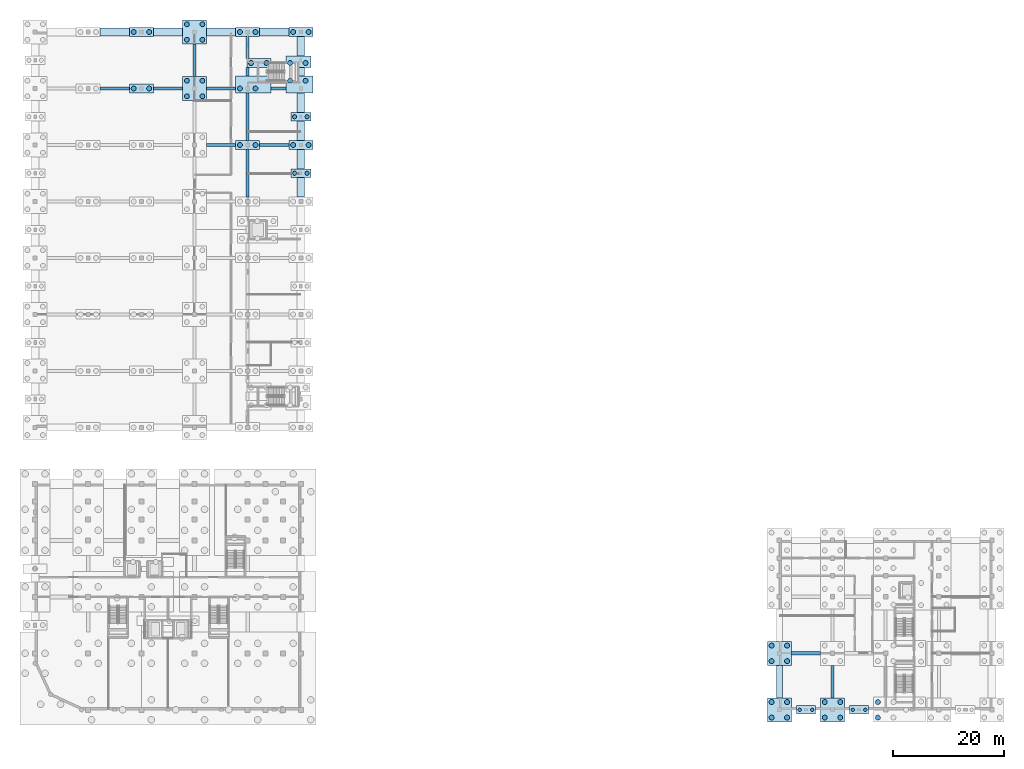
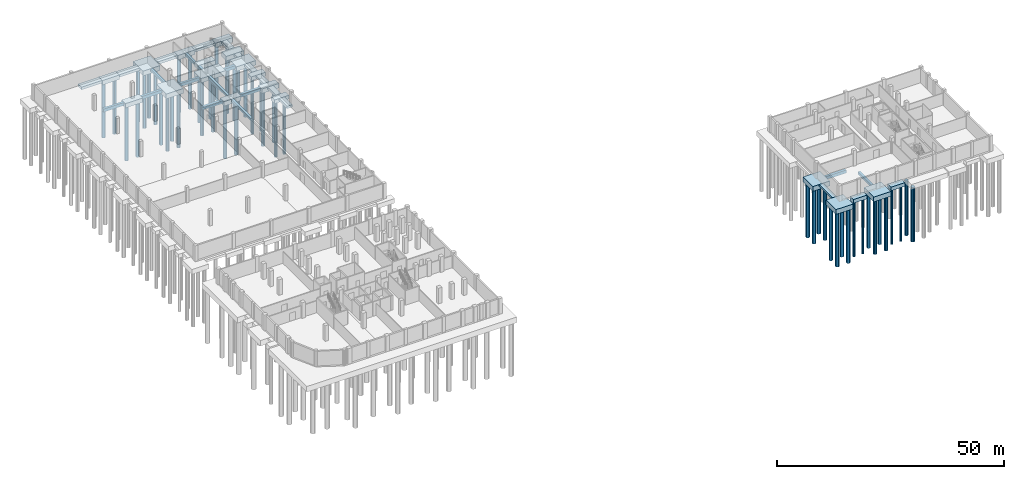
# One storey, part 4 of 18: 50 piles, 43 footings.
"""IFC4 building model written with IfcOpenShell, lengths in metres."""

import ifcopenshell
import ifcopenshell.guid

model = None  # the IFC model being written
_history = None  # IfcOwnerHistory: only IFC2X3 demands one
_inside = {}  # id of a spatial element -> (the spatial element, [elements in it])
_under = {}  # id of a project, library or spatial element -> (it, [spatial elements below it])
_declared = {}  # id of a project -> (the project, [libraries it declares])
_typed = {}  # id of a type object -> (the type object, [elements of that type])
_made_of = {}  # id of a material, layer set ... -> (it, [elements and type objects made of it])


def new_model(schema):
    """Start an empty IFC model of exactly this schema.

    Asked for "IFC4X3", IfcOpenShell would pick the latest addendum, in which some entities
    have other attributes; the version numbers below select the first issue.
    IFC2X3 requires an IfcOwnerHistory on every rooted entity: one is made here for all.
    """
    global model, _history
    if schema == "IFC4X3":
        model = ifcopenshell.file(schema_version=(4, 3, 0, 0))
    else:
        model = ifcopenshell.file(schema=schema)
    _inside.clear()
    _under.clear()
    _declared.clear()
    _typed.clear()
    _made_of.clear()
    _history = None
    if model.schema == "IFC2X3":
        org = make("IfcOrganization", Name="unknown")
        user = make(
            "IfcPersonAndOrganization",
            ThePerson=make("IfcPerson", FamilyName="unknown"),
            TheOrganization=org,
        )
        app = make(
            "IfcApplication",
            ApplicationDeveloper=org,
            Version="unknown",
            ApplicationFullName="unknown",
            ApplicationIdentifier="unknown",
        )
        _history = make(
            "IfcOwnerHistory",
            OwningUser=user,
            OwningApplication=app,
            ChangeAction="ADDED",
            CreationDate=0,
        )
    return model


def make(cls, **values):
    """One entity of the class cls with the attributes given. An attribute that is None is left unset."""
    return model.create_entity(
        cls, **{name: value for name, value in values.items() if value is not None}
    )


def rooted(cls, **values):
    """An entity with a GlobalId (a new one), such as an element, a storey or a relation."""
    return make(cls, GlobalId=ifcopenshell.guid.new(), OwnerHistory=_history, **values)


def si_unit(unit_type, name, prefix=None):
    """IfcSIUnit, for example si_unit("LENGTHUNIT", "METRE", prefix="MILLI")."""
    return make("IfcSIUnit", UnitType=unit_type, Prefix=prefix, Name=name)


def assignment(units):
    """IfcUnitAssignment: the units of a project."""
    return None if units is None else make("IfcUnitAssignment", Units=units)


def point(xyz):
    """IfcCartesianPoint."""
    return None if xyz is None else make("IfcCartesianPoint", Coordinates=xyz)


def direction(xyz):
    """IfcDirection."""
    return None if xyz is None else make("IfcDirection", DirectionRatios=xyz)


def frame(location, z_axis=None, x_axis=None):
    """IfcAxis2Placement3D, a coordinate frame: its origin and axes. An axis left out is left unset."""
    return make(
        "IfcAxis2Placement3D",
        Location=point(location),
        Axis=direction(z_axis),
        RefDirection=direction(x_axis),
    )


def frame_2d(location, x_axis=None):
    """IfcAxis2Placement2D, a coordinate frame in the plane: its origin and x axis."""
    return make(
        "IfcAxis2Placement2D", Location=point(location), RefDirection=direction(x_axis)
    )


def origin():
    """The frame at (0, 0, 0) with its axes left unset."""
    return frame((0.0, 0.0, 0.0))


def origin_2d():
    """The frame at (0, 0) in the plane with its x axis left unset."""
    return frame_2d((0.0, 0.0))


def place(relative_to, where):
    """IfcLocalPlacement: puts the frame where relative to a parent placement (None: the world)."""
    return make(
        "IfcLocalPlacement", PlacementRelTo=relative_to, RelativePlacement=where
    )


def context(
    kind, dimensions, precision=None, world=None, true_north=None, identifier=None
):
    """IfcGeometricRepresentationContext, for example the 3D "Model" context."""
    return make(
        "IfcGeometricRepresentationContext",
        ContextIdentifier=identifier,
        ContextType=kind,
        CoordinateSpaceDimension=dimensions,
        Precision=precision,
        WorldCoordinateSystem=world,
        TrueNorth=true_north,
    )


def subcontext(parent, identifier, kind, view, scale=None):
    """IfcGeometricRepresentationSubContext, for example "Body" below "Model"."""
    return make(
        "IfcGeometricRepresentationSubContext",
        ContextIdentifier=identifier,
        ContextType=kind,
        ParentContext=parent,
        TargetScale=scale,
        TargetView=view,
    )


def project(units=None, contexts=None):
    """IfcProject with its units and contexts."""
    return rooted(
        "IfcProject",
        Name="project",
        RepresentationContexts=contexts,
        UnitsInContext=assignment(units),
    )


def spatial(cls, under=None, at=None, **own):
    """A site, building, storey or space (cls), placed at a placement, below another one or the project."""
    s = rooted(cls, ObjectPlacement=at, **own)
    if under is not None:
        _under.setdefault(under.id(), (under, []))[1].append(s)
    return s


def polyline(points):
    """IfcPolyline through the points."""
    return make("IfcPolyline", Points=[point(p) for p in points])


def profile(cls, at=None, kind="AREA", **sizes):
    """A parametric profile (cls). Its sizes go by their IFC names, for example OverallWidth=200.0."""
    return make(cls, ProfileType=kind, Position=at, **sizes)


def rectangle(**sizes):
    """IfcRectangleProfileDef."""
    return profile("IfcRectangleProfileDef", **sizes)


def circle(**sizes):
    """IfcCircleProfileDef."""
    return profile("IfcCircleProfileDef", **sizes)


def outline(outer, holes=None, kind="AREA"):
    """IfcArbitraryClosedProfileDef: a profile drawn as a closed curve; with holes, ...WithVoids."""
    if holes is None:
        return make("IfcArbitraryClosedProfileDef", ProfileType=kind, OuterCurve=outer)
    return make(
        "IfcArbitraryProfileDefWithVoids",
        ProfileType=kind,
        OuterCurve=outer,
        InnerCurves=holes,
    )


def extrude(swept, where, along, depth):
    """IfcExtrudedAreaSolid: the profile swept, set in the frame where, extruded along a direction by depth."""
    return make(
        "IfcExtrudedAreaSolid",
        SweptArea=swept,
        Position=where,
        ExtrudedDirection=direction(along),
        Depth=depth,
    )


def shape(context_of_items, identifier, shape_type, items):
    """IfcShapeRepresentation: the items that make up one representation, for example the "Body"."""
    return make(
        "IfcShapeRepresentation",
        ContextOfItems=context_of_items,
        RepresentationIdentifier=identifier,
        RepresentationType=shape_type,
        Items=items,
    )


def material(Name=None, Category=None):
    """IfcMaterial."""
    return make("IfcMaterial", Name=Name, Category=Category)


def material_profile(
    of_material, cross_section, Name=None, Category=None, Priority=None
):
    """IfcMaterialProfile: a cross section and its material."""
    return make(
        "IfcMaterialProfile",
        Name=Name,
        Material=of_material,
        Profile=cross_section,
        Priority=Priority,
        Category=Category,
    )


def profile_set(profiles, Name=None, composite=None):
    """IfcMaterialProfileSet."""
    return make(
        "IfcMaterialProfileSet",
        Name=Name,
        MaterialProfiles=profiles,
        CompositeProfile=composite,
    )


def made_of(thing, what):
    """Note that an element or type object is made of a material, layer set ...; save() writes the relation."""
    if what is not None:
        _made_of.setdefault(what.id(), (what, []))[1].append(thing)
    return thing


def type_object(cls, material=None, **own):
    """A type object (cls), such as IfcWallType, which elements share."""
    return made_of(rooted(cls, **own), material)


def element(
    cls,
    number,
    at=None,
    inside=None,
    cuts=None,
    type_object=None,
    material=None,
    context=None,
    identifier="Body",
    shape_type=None,
    held_by="IfcProductDefinitionShape",
    body=None,
    shapes=None,
    **own,
):
    """One element of the class cls, such as IfcWall. Its Tag is "e" and its number.

    at: its placement. inside: the storey or other place that contains it. cuts: it is an
    opening in that element (IfcRelVoidsElement). A single representation is given by context,
    identifier, shape_type and body (its items); several are given by shapes. held_by: the class
    of the entity that holds the representations. save() writes the other relations.
    """
    e = rooted(cls, Tag="e%d" % number, ObjectPlacement=at, **own)
    if body is not None:
        shapes = [shape(context, identifier, shape_type, body)]
    if shapes is not None:
        e.Representation = make(held_by, Representations=shapes)
    if inside is not None:
        _inside.setdefault(inside.id(), (inside, []))[1].append(e)
    if cuts is not None:
        rooted(
            "IfcRelVoidsElement", RelatingBuildingElement=cuts, RelatedOpeningElement=e
        )
    if type_object is not None:
        _typed.setdefault(type_object.id(), (type_object, []))[1].append(e)
    return made_of(e, material)


def aggregate(whole, parts):
    """IfcRelAggregates: a whole, such as a stair, and the parts it consists of."""
    return rooted("IfcRelAggregates", RelatingObject=whole, RelatedObjects=parts)


def save(model, path):
    """Write the relations noted so far, then the file.

    IfcRelAggregates (storeys below a building ...), IfcRelContainedInSpatialStructure (elements
    in a storey), IfcRelDefinesByType, IfcRelAssociatesMaterial and IfcRelDeclares: one each for
    every whole, place, type object, material and project.
    """
    for whole, parts in _under.values():
        aggregate(whole, parts)
    for where, things in _inside.values():
        rooted(
            "IfcRelContainedInSpatialStructure",
            RelatedElements=things,
            RelatingStructure=where,
        )
    for kind, things in _typed.values():
        rooted("IfcRelDefinesByType", RelatedObjects=things, RelatingType=kind)
    for what, things in _made_of.values():
        rooted("IfcRelAssociatesMaterial", RelatedObjects=things, RelatingMaterial=what)
    for by, libraries in _declared.values():
        rooted("IfcRelDeclares", RelatingContext=by, RelatedDefinitions=libraries)
    model.write(path)


model = new_model("IFC4")

# Units and contexts
model_context = context("Model", 3, precision=1e-05, world=origin(), true_north=direction((0.0, 1.0)))
body_context = subcontext(model_context, "Body", "Model", "MODEL_VIEW")
ifc_project = project(units=[si_unit("LENGTHUNIT", "METRE"), si_unit("AREAUNIT", "SQUARE_METRE"), si_unit("VOLUMEUNIT", "CUBIC_METRE"), si_unit("PLANEANGLEUNIT", "RADIAN"), si_unit("MASSUNIT", "GRAM", prefix="KILO")], contexts=[model_context])

# Site, building, storey
site_placement = place(None, origin())
site = spatial("IfcSite", under=ifc_project, at=site_placement, CompositionType="ELEMENT")
building_placement = place(site_placement, origin())
building = spatial("IfcBuilding", under=site, at=building_placement, Name="Vondelvale Polytechnic", CompositionType="ELEMENT")
storey_placement = place(building_placement, frame((0.0, 0.0, -4.199951171875)))
storey = spatial("IfcBuildingStorey", under=building, at=storey_placement, Name="B1", CompositionType="ELEMENT", Elevation=-4.199951171875)

# Footings
ifc_material = material(Name="Concrete N40 (f'c = 40 MPa)", Category="concrete")
footing_type_1 = type_object("IfcFootingType", Name="GB-550x750", PredefinedType="FOOTING_BEAM", material=ifc_material)
footing_1_placement = place(storey_placement, frame((0.0, 0.0, -1.150146484375)))
element("IfcFooting", 1, at=footing_1_placement, inside=storey, type_object=footing_type_1, Name="Ground tie beam GB-037", PredefinedType="FOOTING_BEAM", context=body_context, shape_type="SweptSolid", body=[
    extrude(outline(polyline([(29.074951171875, 114.3701171875), (28.52490234375, 114.3701171875), (28.52490234375, 120.22998046875), (29.074951171875, 120.22998046875), (29.074951171875, 114.3701171875)])), origin(), (0.0, 0.0, 1.0), 0.75),
])
footing_2_placement = place(storey_placement, frame((0.0, 0.0, -1.150146484375)))
element("IfcFooting", 2, at=footing_2_placement, inside=storey, type_object=footing_type_1, Name="Ground tie beam GB-046", PredefinedType="FOOTING_BEAM", context=body_context, shape_type="SweptSolid", body=[
    extrude(outline(polyline([(38.675048828125, 92.64990234375), (38.125, 92.64990234375), (38.125, 101.14990234375), (38.675048828125, 101.14990234375), (38.675048828125, 92.64990234375)])), origin(), (0.0, 0.0, 1.0), 0.75),
])
footing_3_placement = place(storey_placement, frame((0.0, 0.0, -1.150146484375)))
element("IfcFooting", 3, at=footing_3_placement, inside=storey, type_object=footing_type_1, Name="Ground tie beam GB-047", PredefinedType="FOOTING_BEAM", context=body_context, shape_type="SweptSolid", body=[
    extrude(outline(polyline([(38.675048828125, 102.85009765625), (38.125, 102.85009765625), (38.125, 111.35009765625), (38.675048828125, 111.35009765625), (38.675048828125, 102.85009765625)])), origin(), (0.0, 0.0, 1.0), 0.75),
])
footing_4_placement = place(storey_placement, frame((0.0, 0.0, -1.150146484375)))
element("IfcFooting", 4, at=footing_4_placement, inside=storey, type_object=footing_type_1, Name="Ground tie beam GB-048", PredefinedType="FOOTING_BEAM", context=body_context, shape_type="SweptSolid", body=[
    extrude(outline(polyline([(38.675048828125, 114.449951171875), (38.125, 114.449951171875), (38.125, 115.949951171875), (38.22998046875, 115.949951171875), (38.675048828125, 115.949951171875), (38.675048828125, 114.449951171875)])), origin(), (0.0, 0.0, 1.0), 0.75),
])
footing_5_placement = place(storey_placement, frame((0.0, 0.0, -1.150146484375)))
element("IfcFooting", 5, at=footing_5_placement, inside=storey, type_object=footing_type_1, Name="Ground tie beam GB-049", PredefinedType="FOOTING_BEAM", context=body_context, shape_type="SweptSolid", body=[
    extrude(outline(polyline([(38.675048828125, 117.64990234375), (38.22998046875, 117.64990234375), (38.125, 117.64990234375), (38.125, 121.550048828125), (38.675048828125, 121.550048828125), (38.675048828125, 117.64990234375)])), origin(), (0.0, 0.0, 1.0), 0.75),
])
footing_6_placement = place(storey_placement, frame((0.0, 0.0, -1.150146484375)))
element("IfcFooting", 6, at=footing_6_placement, inside=storey, type_object=footing_type_1, Name="Ground tie beam GB-065", PredefinedType="FOOTING_BEAM", context=body_context, shape_type="SweptSolid", body=[
    extrude(outline(polyline([(144.27490234375, 2.169921875), (143.72509765625, 2.169921875), (143.72509765625, 8.030029296875), (144.27490234375, 8.030029296875), (144.27490234375, 2.169921875)])), origin(), (0.0, 0.0, 1.0), 0.75),
])
footing_type_2 = type_object("IfcFootingType", Name="GB-600x800", PredefinedType="FOOTING_BEAM", material=ifc_material)
footing_7_placement = place(storey_placement, frame((0.0, 0.0, -1.199951171875)))
element("IfcFooting", 7, at=footing_7_placement, inside=storey, type_object=footing_type_2, Name="Ground tie beam GB-024", PredefinedType="FOOTING_BEAM", context=body_context, shape_type="SweptSolid", body=[
    extrude(outline(polyline([(30.969970703125, 101.699951171875), (30.969970703125, 102.300048828125), (36.22998046875, 102.300048828125), (36.22998046875, 101.699951171875), (30.969970703125, 101.699951171875)])), origin(), (0.0, 0.0, 1.0), 0.7998046875),
])
footing_8_placement = place(storey_placement, frame((0.0, 0.0, -1.199951171875)))
element("IfcFooting", 8, at=footing_8_placement, inside=storey, type_object=footing_type_2, Name="Ground tie beam GB-025", PredefinedType="FOOTING_BEAM", context=body_context, shape_type="SweptSolid", body=[
    extrude(outline(polyline([(40.570068359375, 101.699951171875), (40.570068359375, 102.300048828125), (45.830078125, 102.300048828125), (45.830078125, 101.699951171875), (40.570068359375, 101.699951171875)])), origin(), (0.0, 0.0, 1.0), 0.7998046875),
])
footing_9_placement = place(storey_placement, frame((0.0, 0.0, -1.199951171875)))
element("IfcFooting", 9, at=footing_9_placement, inside=storey, type_object=footing_type_2, Name="Ground tie beam GB-027", PredefinedType="FOOTING_BEAM", context=body_context, shape_type="SweptSolid", body=[
    extrude(outline(polyline([(11.77001953125, 111.89990234375), (11.77001953125, 112.5), (17.030029296875, 112.5), (17.030029296875, 111.89990234375), (11.77001953125, 111.89990234375)])), origin(), (0.0, 0.0, 1.0), 0.7998046875),
])
footing_10_placement = place(storey_placement, frame((0.0, 0.0, -1.199951171875)))
element("IfcFooting", 10, at=footing_10_placement, inside=storey, type_object=footing_type_2, Name="Ground tie beam GB-028", PredefinedType="FOOTING_BEAM", context=body_context, shape_type="SweptSolid", body=[
    extrude(outline(polyline([(21.3701171875, 111.89990234375), (21.3701171875, 112.5), (26.6298828125, 112.5), (26.6298828125, 111.89990234375), (21.3701171875, 111.89990234375)])), origin(), (0.0, 0.0, 1.0), 0.7998046875),
])
footing_11_placement = place(storey_placement, frame((0.0, 0.0, -1.199951171875)))
element("IfcFooting", 11, at=footing_11_placement, inside=storey, type_object=footing_type_2, Name="Ground tie beam GB-029", PredefinedType="FOOTING_BEAM", context=body_context, shape_type="SweptSolid", body=[
    extrude(outline(polyline([(30.969970703125, 111.89990234375), (30.969970703125, 112.5), (36.22998046875, 112.5), (36.22998046875, 111.89990234375), (30.969970703125, 111.89990234375)])), origin(), (0.0, 0.0, 1.0), 0.7998046875),
])
footing_12_placement = place(storey_placement, frame((0.0, 0.0, -1.199951171875)))
element("IfcFooting", 12, at=footing_12_placement, inside=storey, type_object=footing_type_2, Name="Ground tie beam GB-030", PredefinedType="FOOTING_BEAM", context=body_context, shape_type="SweptSolid", body=[
    extrude(outline(polyline([(42.570068359375, 111.89990234375), (42.570068359375, 112.5), (45.280029296875, 112.5), (45.280029296875, 111.89990234375), (42.570068359375, 111.89990234375)])), origin(), (0.0, 0.0, 1.0), 0.7998046875),
])
footing_13_placement = place(storey_placement, frame((0.0, 0.0, -1.199951171875)))
element("IfcFooting", 13, at=footing_13_placement, inside=storey, type_object=footing_type_2, Name="Ground tie beam GB-059", PredefinedType="FOOTING_BEAM", context=body_context, shape_type="SweptSolid", body=[
    extrude(outline(polyline([(136.570068359375, 9.89990234375), (136.570068359375, 10.5), (141.830078125, 10.5), (141.830078125, 9.89990234375), (136.570068359375, 9.89990234375)])), origin(), (0.0, 0.0, 1.0), 0.7998046875),
])
footing_type_3 = type_object("IfcFootingType", Name="PC-3490x1500x1000", PredefinedType="PILE_CAP", material=ifc_material)
for number, where, z_axis, x_axis, name in (
    (14, (139.199951171875, 0.0, -1.400146484375), (0.0, 0.0, 1.0), (1.0, 0.0, 0.0), "Pile cap PC-207"),
    (15, (148.800048828125, 0.0, -1.400146484375), (0.0, 0.0, 1.0), (1.0, 0.0, 0.0), "Pile cap PC-228"),
):
    element("IfcFooting", number, at=place(storey_placement, frame(where, z_axis=z_axis, x_axis=x_axis)), inside=storey, type_object=footing_type_3, Name=name, PredefinedType="PILE_CAP", context=body_context, shape_type="SweptSolid", body=[
        extrude(rectangle(XDim=3.489990234375, YDim=1.5, at=origin_2d()), origin(), (0.0, 0.0, 1.0), 1.0),
    ])
footing_type_4 = type_object("IfcFootingType", Name="PC-3640x1500x1000", PredefinedType="PILE_CAP", material=ifc_material)
for number, where, z_axis, x_axis, name in (
    (16, (48.0, 96.89990234375, -1.400146484375), (0.0, 0.0, 1.0), (1.0, 0.0, 0.0), "Pile cap PC-078"),
    (17, (48.0, 107.10009765625, -1.400146484375), (0.0, 0.0, 1.0), (1.0, 0.0, 0.0), "Pile cap PC-080"),
):
    element("IfcFooting", number, at=place(storey_placement, frame(where, z_axis=z_axis, x_axis=x_axis)), inside=storey, type_object=footing_type_4, Name=name, PredefinedType="PILE_CAP", context=body_context, shape_type="SweptSolid", body=[
        extrude(rectangle(XDim=3.639892578125, YDim=1.5, at=origin_2d()), origin(), (0.0, 0.0, 1.0), 1.0),
    ])
footing_type_5 = type_object("IfcFootingType", Name="PC-4340x1700x1200", PredefinedType="PILE_CAP", material=ifc_material)
for number, where, z_axis, x_axis, name in (
    (18, (19.199951171875, 112.199951171875, -1.60009765625), (0.0, 0.0, 1.0), (1.0, 0.0, 0.0), "Pile cap PC-039"),
    (19, (19.199951171875, 122.39990234375, -1.60009765625), (0.0, 0.0, 1.0), (1.0, 0.0, 0.0), "Pile cap PC-040"),
    (20, (38.39990234375, 102.0, -1.60009765625), (0.0, 0.0, 1.0), (1.0, 0.0, 0.0), "Pile cap PC-058"),
    (21, (38.39990234375, 122.39990234375, -1.60009765625), (0.0, 0.0, 1.0), (1.0, 0.0, 0.0), "Pile cap PC-060"),
    (22, (40.39990234375, 116.800048828125, -1.60009765625), (0.0, 0.0, 1.0), (1.0, 0.0, 0.0), "Pile cap PC-065"),
    (23, (48.0, 102.0, -1.60009765625), (0.0, 0.0, 1.0), (1.0, 0.0, 0.0), "Pile cap PC-079"),
    (24, (48.0, 122.39990234375, -1.60009765625), (0.0, 0.0, 1.0), (1.0, 0.0, 0.0), "Pile cap PC-081"),
):
    element("IfcFooting", number, at=place(storey_placement, frame(where, z_axis=z_axis, x_axis=x_axis)), inside=storey, type_object=footing_type_5, Name=name, PredefinedType="PILE_CAP", context=body_context, shape_type="SweptSolid", body=[
        extrude(rectangle(XDim=4.340087890625, YDim=1.699951171875, at=origin_2d()), origin(), (0.0, 0.0, 1.0), 1.199951171875),
    ])
footing_type_6 = type_object("IfcFootingType", Name="PC-4340x4340x1300", PredefinedType="PILE_CAP", material=ifc_material)
for number, where, z_axis, x_axis, name in (
    (25, (28.800048828125, 112.199951171875, -1.7001953125), (0.0, 0.0, 1.0), (1.0, 0.0, 0.0), "Pile cap PC-050"),
    (26, (28.800048828125, 122.39990234375, -1.7001953125), (0.0, 0.0, 1.0), (1.0, 0.0, 0.0), "Pile cap PC-051"),
    (27, (134.39990234375, 0.0, -1.7001953125), (0.0, 0.0, 1.0), (1.0, 0.0, 0.0), "Pile cap PC-197"),
    (28, (134.39990234375, 10.199951171875, -1.7001953125), (0.0, 0.0, 1.0), (1.0, 0.0, 0.0), "Pile cap PC-198"),
    (29, (144.0, 0.0, -1.7001953125), (0.0, 0.0, 1.0), (1.0, 0.0, 0.0), "Pile cap PC-216"),
):
    element("IfcFooting", number, at=place(storey_placement, frame(where, z_axis=z_axis, x_axis=x_axis)), inside=storey, type_object=footing_type_6, Name=name, PredefinedType="PILE_CAP", context=body_context, shape_type="SweptSolid", body=[
        extrude(rectangle(XDim=4.340087890625, YDim=4.340087890625, at=origin_2d()), origin(), (0.0, 0.0, 1.0), 1.300048828125),
    ])
footing_type_7 = type_object("IfcFootingType", Name="PC-4540x2100x1200", PredefinedType="PILE_CAP", material=ifc_material)
footing_14_placement = place(storey_placement, frame((47.550048828125, 117.0, -1.60009765625), z_axis=(0.0, 0.0, 1.0), x_axis=(1.0, 0.0, 0.0)))
element("IfcFooting", 30, at=footing_14_placement, inside=storey, type_object=footing_type_7, Name="Pile cap PC-069", PredefinedType="PILE_CAP", context=body_context, shape_type="SweptSolid", body=[
    extrude(rectangle(XDim=4.5400390625, YDim=2.10009765625, at=origin_2d()), origin(), (0.0, 0.0, 1.0), 1.199951171875),
])
footing_type_8 = type_object("IfcFootingType", Name="PC-4890x3100x1200", PredefinedType="PILE_CAP", material=ifc_material)
footing_15_placement = place(storey_placement, frame((47.72509765625, 112.89990234375, -1.60009765625), z_axis=(0.0, 0.0, 1.0), x_axis=(1.0, 0.0, 0.0)))
element("IfcFooting", 31, at=footing_15_placement, inside=storey, type_object=footing_type_8, Name="Pile cap PC-068", PredefinedType="PILE_CAP", context=body_context, shape_type="SweptSolid", body=[
    extrude(rectangle(XDim=4.889892578125, YDim=3.10009765625, at=origin_2d()), origin(), (0.0, 0.0, 1.0), 1.199951171875),
])
footing_type_9 = type_object("IfcFootingType", Name="PC-6340x3100x1200", PredefinedType="PILE_CAP", material=ifc_material)
footing_16_placement = place(storey_placement, frame((39.39990234375, 112.89990234375, -1.60009765625), z_axis=(0.0, 0.0, 1.0), x_axis=(1.0, 0.0, 0.0)))
element("IfcFooting", 32, at=footing_16_placement, inside=storey, type_object=footing_type_9, Name="Pile cap PC-059", PredefinedType="PILE_CAP", context=body_context, shape_type="SweptSolid", body=[
    extrude(rectangle(XDim=6.340087890625, YDim=3.10009765625, at=origin_2d()), origin(), (0.0, 0.0, 1.0), 1.199951171875),
])

# Piles
ifc_material_profile_1 = material_profile(ifc_material, circle(Radius=0.300048828125, at=origin_2d()), Name="PILE-D600")
ifc_profile_set_1 = profile_set([ifc_material_profile_1], Name="Concrete N40 (f'c = 40 MPa)")
pile_type_1 = type_object("IfcPileType", Name="PILE-BORED-600", PredefinedType="BORED", material=ifc_profile_set_1)
for number, where, z_axis, x_axis, name in (
    (33, (138.074951171875, 0.0, -1.25), (0.0, 0.0, -1.0), (1.0, 0.0, 0.0), "Bored pile BP-600-207-1"),
    (34, (140.324951171875, 0.0, -1.25), (0.0, 0.0, -1.0), (1.0, 0.0, 0.0), "Bored pile BP-600-207-2"),
    (35, (147.675048828125, 0.0, -1.25), (0.0, 0.0, -1.0), (1.0, 0.0, 0.0), "Bored pile BP-600-228-1"),
    (36, (149.925048828125, 0.0, -1.25), (0.0, 0.0, -1.0), (1.0, 0.0, 0.0), "Bored pile BP-600-228-2"),
):
    element("IfcPile", number, at=place(storey_placement, frame(where, z_axis=z_axis, x_axis=x_axis)), inside=storey, type_object=pile_type_1, Name=name, PredefinedType="BORED", context=body_context, shape_type="SweptSolid", body=[
        extrude(circle(Radius=0.300048828125, at=origin_2d()), origin(), (0.0, 0.0, 1.0), 15.050048828125),
    ])
ifc_material_profile_2 = material_profile(ifc_material, circle(Radius=0.375, at=origin_2d()), Name="PILE-D750")
ifc_profile_set_2 = profile_set([ifc_material_profile_2], Name="Concrete N40 (f'c = 40 MPa)")
pile_type_2 = type_object("IfcPileType", Name="PILE-BORED-750", PredefinedType="BORED", material=ifc_profile_set_2)
for number, where, z_axis, x_axis, name in (
    (37, (46.875, 96.89990234375, -1.25), (0.0, 0.0, -1.0), (1.0, 0.0, 0.0), "Bored pile BP-750-078-1"),
    (38, (49.125, 96.89990234375, -1.25), (0.0, 0.0, -1.0), (1.0, 0.0, 0.0), "Bored pile BP-750-078-2"),
    (39, (46.875, 107.10009765625, -1.25), (0.0, 0.0, -1.0), (1.0, 0.0, 0.0), "Bored pile BP-750-080-1"),
    (40, (49.125, 107.10009765625, -1.25), (0.0, 0.0, -1.0), (1.0, 0.0, 0.0), "Bored pile BP-750-080-2"),
):
    element("IfcPile", number, at=place(storey_placement, frame(where, z_axis=z_axis, x_axis=x_axis)), inside=storey, type_object=pile_type_2, Name=name, PredefinedType="BORED", context=body_context, shape_type="SweptSolid", body=[
        extrude(circle(Radius=0.375, at=origin_2d()), origin(), (0.0, 0.0, 1.0), 15.050048828125),
    ])
ifc_material_profile_3 = material_profile(ifc_material, circle(Radius=0.449951171875, at=origin_2d()), Name="PILE-D900")
ifc_profile_set_3 = profile_set([ifc_material_profile_3], Name="Concrete N40 (f'c = 40 MPa)")
pile_type_3 = type_object("IfcPileType", Name="PILE-BORED-900", PredefinedType="BORED", material=ifc_profile_set_3)
for number, where, z_axis, x_axis, name in (
    (41, (17.800048828125, 112.199951171875, -1.449951171875), (0.0, 0.0, -1.0), (1.0, 0.0, 0.0), "Bored pile BP-900-039-1"),
    (42, (20.60009765625, 112.199951171875, -1.449951171875), (0.0, 0.0, -1.0), (1.0, 0.0, 0.0), "Bored pile BP-900-039-2"),
    (43, (17.800048828125, 122.39990234375, -1.449951171875), (0.0, 0.0, -1.0), (1.0, 0.0, 0.0), "Bored pile BP-900-040-1"),
    (44, (20.60009765625, 122.39990234375, -1.449951171875), (0.0, 0.0, -1.0), (1.0, 0.0, 0.0), "Bored pile BP-900-040-2"),
):
    element("IfcPile", number, at=place(storey_placement, frame(where, z_axis=z_axis, x_axis=x_axis)), inside=storey, type_object=pile_type_3, Name=name, PredefinedType="BORED", context=body_context, shape_type="SweptSolid", body=[
        extrude(circle(Radius=0.449951171875, at=origin_2d()), origin(), (0.0, 0.0, 1.0), 14.85009765625),
    ])
for number, where, z_axis, x_axis, name in (
    (45, (27.39990234375, 110.800048828125, -1.550048828125), (0.0, 0.0, -1.0), (1.0, 0.0, 0.0), "Bored pile BP-900-050-1"),
    (46, (30.199951171875, 110.800048828125, -1.550048828125), (0.0, 0.0, -1.0), (1.0, 0.0, 0.0), "Bored pile BP-900-050-2"),
    (47, (27.39990234375, 113.60009765625, -1.550048828125), (0.0, 0.0, -1.0), (1.0, 0.0, 0.0), "Bored pile BP-900-050-3"),
    (48, (30.199951171875, 113.60009765625, -1.550048828125), (0.0, 0.0, -1.0), (1.0, 0.0, 0.0), "Bored pile BP-900-050-4"),
    (49, (27.39990234375, 121.0, -1.550048828125), (0.0, 0.0, -1.0), (1.0, 0.0, 0.0), "Bored pile BP-900-051-1"),
    (50, (30.199951171875, 121.0, -1.550048828125), (0.0, 0.0, -1.0), (1.0, 0.0, 0.0), "Bored pile BP-900-051-2"),
    (51, (27.39990234375, 123.800048828125, -1.550048828125), (0.0, 0.0, -1.0), (1.0, 0.0, 0.0), "Bored pile BP-900-051-3"),
    (52, (30.199951171875, 123.800048828125, -1.550048828125), (0.0, 0.0, -1.0), (1.0, 0.0, 0.0), "Bored pile BP-900-051-4"),
):
    element("IfcPile", number, at=place(storey_placement, frame(where, z_axis=z_axis, x_axis=x_axis)), inside=storey, type_object=pile_type_3, Name=name, PredefinedType="BORED", context=body_context, shape_type="SweptSolid", body=[
        extrude(circle(Radius=0.449951171875, at=origin_2d()), origin(), (0.0, 0.0, 1.0), 14.75),
    ])
for number, where, z_axis, x_axis, name in (
    (53, (37.0, 102.0, -1.449951171875), (0.0, 0.0, -1.0), (1.0, 0.0, 0.0), "Bored pile BP-900-058-1"),
    (54, (39.800048828125, 102.0, -1.449951171875), (0.0, 0.0, -1.0), (1.0, 0.0, 0.0), "Bored pile BP-900-058-2"),
    (55, (37.0, 112.199951171875, -1.449951171875), (0.0, 0.0, -1.0), (1.0, 0.0, 0.0), "Bored pile BP-900-059-1"),
    (56, (39.800048828125, 112.199951171875, -1.449951171875), (0.0, 0.0, -1.0), (1.0, 0.0, 0.0), "Bored pile BP-900-059-2"),
    (57, (37.0, 122.39990234375, -1.449951171875), (0.0, 0.0, -1.0), (1.0, 0.0, 0.0), "Bored pile BP-900-060-1"),
    (58, (39.800048828125, 122.39990234375, -1.449951171875), (0.0, 0.0, -1.0), (1.0, 0.0, 0.0), "Bored pile BP-900-060-2"),
    (59, (39.0, 116.800048828125, -1.449951171875), (0.0, 0.0, -1.0), (1.0, 0.0, 0.0), "Bored pile BP-900-065-1"),
    (60, (41.800048828125, 116.800048828125, -1.449951171875), (0.0, 0.0, -1.0), (1.0, 0.0, 0.0), "Bored pile BP-900-065-2"),
    (61, (46.050048828125, 113.60009765625, -1.449951171875), (0.0, 0.0, -1.0), (1.0, 0.0, 0.0), "Bored pile BP-900-068-1"),
    (62, (48.85009765625, 113.60009765625, -1.449951171875), (0.0, 0.0, -1.0), (1.0, 0.0, 0.0), "Bored pile BP-900-068-2"),
    (63, (46.050048828125, 116.800048828125, -1.449951171875), (0.0, 0.0, -1.0), (1.0, 0.0, 0.0), "Bored pile BP-900-069-1"),
    (64, (48.85009765625, 116.800048828125, -1.449951171875), (0.0, 0.0, -1.0), (1.0, 0.0, 0.0), "Bored pile BP-900-069-2"),
    (65, (46.60009765625, 102.0, -1.449951171875), (0.0, 0.0, -1.0), (1.0, 0.0, 0.0), "Bored pile BP-900-079-1"),
    (66, (49.39990234375, 102.0, -1.449951171875), (0.0, 0.0, -1.0), (1.0, 0.0, 0.0), "Bored pile BP-900-079-2"),
    (67, (46.60009765625, 122.39990234375, -1.449951171875), (0.0, 0.0, -1.0), (1.0, 0.0, 0.0), "Bored pile BP-900-081-1"),
    (68, (49.39990234375, 122.39990234375, -1.449951171875), (0.0, 0.0, -1.0), (1.0, 0.0, 0.0), "Bored pile BP-900-081-2"),
):
    element("IfcPile", number, at=place(storey_placement, frame(where, z_axis=z_axis, x_axis=x_axis)), inside=storey, type_object=pile_type_3, Name=name, PredefinedType="BORED", context=body_context, shape_type="SweptSolid", body=[
        extrude(circle(Radius=0.449951171875, at=origin_2d()), origin(), (0.0, 0.0, 1.0), 14.85009765625),
    ])
for number, where, z_axis, x_axis, name in (
    (69, (133.0, -1.39990234375, -1.550048828125), (0.0, 0.0, -1.0), (1.0, 0.0, 0.0), "Bored pile BP-900-197-1"),
    (70, (135.800048828125, -1.39990234375, -1.550048828125), (0.0, 0.0, -1.0), (1.0, 0.0, 0.0), "Bored pile BP-900-197-2"),
    (71, (133.0, 1.39990234375, -1.550048828125), (0.0, 0.0, -1.0), (1.0, 0.0, 0.0), "Bored pile BP-900-197-3"),
    (72, (135.800048828125, 1.39990234375, -1.550048828125), (0.0, 0.0, -1.0), (1.0, 0.0, 0.0), "Bored pile BP-900-197-4"),
    (73, (133.0, 8.800048828125, -1.550048828125), (0.0, 0.0, -1.0), (1.0, 0.0, 0.0), "Bored pile BP-900-198-1"),
    (74, (135.800048828125, 8.800048828125, -1.550048828125), (0.0, 0.0, -1.0), (1.0, 0.0, 0.0), "Bored pile BP-900-198-2"),
    (75, (133.0, 11.60009765625, -1.550048828125), (0.0, 0.0, -1.0), (1.0, 0.0, 0.0), "Bored pile BP-900-198-3"),
    (76, (135.800048828125, 11.60009765625, -1.550048828125), (0.0, 0.0, -1.0), (1.0, 0.0, 0.0), "Bored pile BP-900-198-4"),
    (77, (142.60009765625, -1.39990234375, -1.550048828125), (0.0, 0.0, -1.0), (1.0, 0.0, 0.0), "Bored pile BP-900-216-1"),
    (78, (145.39990234375, -1.39990234375, -1.550048828125), (0.0, 0.0, -1.0), (1.0, 0.0, 0.0), "Bored pile BP-900-216-2"),
    (79, (142.60009765625, 1.39990234375, -1.550048828125), (0.0, 0.0, -1.0), (1.0, 0.0, 0.0), "Bored pile BP-900-216-3"),
    (80, (145.39990234375, 1.39990234375, -1.550048828125), (0.0, 0.0, -1.0), (1.0, 0.0, 0.0), "Bored pile BP-900-216-4"),
    (81, (152.199951171875, -1.39990234375, -1.550048828125), (0.0, 0.0, -1.0), (1.0, 0.0, 0.0), "Bored pile BP-900-229-1"),
    (82, (152.199951171875, 1.39990234375, -1.550048828125), (0.0, 0.0, -1.0), (1.0, 0.0, 0.0), "Bored pile BP-900-229-3"),
):
    element("IfcPile", number, at=place(storey_placement, frame(where, z_axis=z_axis, x_axis=x_axis)), inside=storey, type_object=pile_type_3, Name=name, PredefinedType="BORED", context=body_context, shape_type="SweptSolid", body=[
        extrude(circle(Radius=0.449951171875, at=origin_2d()), origin(), (0.0, 0.0, 1.0), 14.75),
    ])

# Footings
footing_type_10 = type_object("IfcFootingType", Name="SF-1100x550", PredefinedType="STRIP_FOOTING", material=ifc_material)
footing_17_placement = place(storey_placement, frame((0.0, 0.0, -0.949951171875)))
element("IfcFooting", 83, at=footing_17_placement, inside=storey, type_object=footing_type_10, Name="B1 continuous strip footing SF-050", PredefinedType="STRIP_FOOTING", context=body_context, shape_type="SweptSolid", body=[
    extrude(outline(polyline([(134.949951171875, 2.169921875), (133.85009765625, 2.169921875), (133.85009765625, 8.030029296875), (134.949951171875, 8.030029296875), (134.949951171875, 2.169921875)])), origin(), (0.0, 0.0, 1.0), 0.5498046875),
])
footing_type_11 = type_object("IfcFootingType", Name="SF-1350x650", PredefinedType="STRIP_FOOTING", material=ifc_material)
footing_18_placement = place(storey_placement, frame((0.0, 0.0, -1.050048828125)))
element("IfcFooting", 84, at=footing_18_placement, inside=storey, type_object=footing_type_11, Name="B1 continuous strip footing SF-019", PredefinedType="STRIP_FOOTING", context=body_context, shape_type="SweptSolid", body=[
    extrude(outline(polyline([(48.675048828125, 92.64990234375), (47.324951171875, 92.64990234375), (47.324951171875, 96.14990234375), (48.675048828125, 96.14990234375), (48.675048828125, 92.64990234375)])), origin(), (0.0, 0.0, 1.0), 0.64990234375),
])
footing_19_placement = place(storey_placement, frame((0.0, 0.0, -1.050048828125)))
element("IfcFooting", 85, at=footing_19_placement, inside=storey, type_object=footing_type_11, Name="B1 continuous strip footing SF-020", PredefinedType="STRIP_FOOTING", context=body_context, shape_type="SweptSolid", body=[
    extrude(outline(polyline([(48.675048828125, 97.64990234375), (47.324951171875, 97.64990234375), (47.324951171875, 101.14990234375), (48.675048828125, 101.14990234375), (48.675048828125, 97.64990234375)])), origin(), (0.0, 0.0, 1.0), 0.64990234375),
])
footing_20_placement = place(storey_placement, frame((0.0, 0.0, -1.050048828125)))
element("IfcFooting", 86, at=footing_20_placement, inside=storey, type_object=footing_type_11, Name="B1 continuous strip footing SF-023", PredefinedType="STRIP_FOOTING", context=body_context, shape_type="SweptSolid", body=[
    extrude(outline(polyline([(48.675048828125, 102.85009765625), (47.324951171875, 102.85009765625), (47.324951171875, 106.35009765625), (48.675048828125, 106.35009765625), (48.675048828125, 102.85009765625)])), origin(), (0.0, 0.0, 1.0), 0.64990234375),
])
footing_21_placement = place(storey_placement, frame((0.0, 0.0, -1.050048828125)))
element("IfcFooting", 87, at=footing_21_placement, inside=storey, type_object=footing_type_11, Name="B1 continuous strip footing SF-024", PredefinedType="STRIP_FOOTING", context=body_context, shape_type="SweptSolid", body=[
    extrude(outline(polyline([(48.675048828125, 107.85009765625), (47.324951171875, 107.85009765625), (47.324951171875, 111.35009765625), (48.675048828125, 111.35009765625), (48.675048828125, 107.85009765625)])), origin(), (0.0, 0.0, 1.0), 0.64990234375),
])
footing_22_placement = place(storey_placement, frame((0.0, 0.0, -1.050048828125)))
element("IfcFooting", 88, at=footing_22_placement, inside=storey, type_object=footing_type_11, Name="B1 continuous strip footing SF-027", PredefinedType="STRIP_FOOTING", context=body_context, shape_type="SweptSolid", body=[
    extrude(outline(polyline([(48.675048828125, 114.449951171875), (47.324951171875, 114.449951171875), (47.324951171875, 115.949951171875), (48.675048828125, 115.949951171875), (48.675048828125, 114.449951171875)])), origin(), (0.0, 0.0, 1.0), 0.64990234375),
])
footing_23_placement = place(storey_placement, frame((0.0, 0.0, -1.050048828125)))
element("IfcFooting", 89, at=footing_23_placement, inside=storey, type_object=footing_type_11, Name="B1 continuous strip footing SF-028", PredefinedType="STRIP_FOOTING", context=body_context, shape_type="SweptSolid", body=[
    extrude(outline(polyline([(48.675048828125, 118.050048828125), (47.324951171875, 118.050048828125), (47.324951171875, 121.550048828125), (48.675048828125, 121.550048828125), (48.675048828125, 118.050048828125)])), origin(), (0.0, 0.0, 1.0), 0.64990234375),
])
footing_type_12 = type_object("IfcFootingType", Name="SF-1500x700", PredefinedType="STRIP_FOOTING", material=ifc_material)
footing_24_placement = place(storey_placement, frame((0.0, 0.0, -1.10009765625)))
element("IfcFooting", 90, at=footing_24_placement, inside=storey, type_object=footing_type_12, Name="B1 continuous strip footing SF-031", PredefinedType="STRIP_FOOTING", context=body_context, shape_type="SweptSolid", body=[
    extrude(outline(polyline([(11.77001953125, 121.64990234375), (11.77001953125, 123.14990234375), (17.030029296875, 123.14990234375), (17.030029296875, 121.64990234375), (11.77001953125, 121.64990234375)])), origin(), (0.0, 0.0, 1.0), 0.699951171875),
])
footing_25_placement = place(storey_placement, frame((0.0, 0.0, -1.10009765625)))
element("IfcFooting", 91, at=footing_25_placement, inside=storey, type_object=footing_type_12, Name="B1 continuous strip footing SF-033", PredefinedType="STRIP_FOOTING", context=body_context, shape_type="SweptSolid", body=[
    extrude(outline(polyline([(21.3701171875, 121.64990234375), (21.3701171875, 123.14990234375), (26.6298828125, 123.14990234375), (26.6298828125, 121.64990234375), (21.3701171875, 121.64990234375)])), origin(), (0.0, 0.0, 1.0), 0.699951171875),
])
footing_26_placement = place(storey_placement, frame((0.0, 0.0, -1.10009765625)))
element("IfcFooting", 92, at=footing_26_placement, inside=storey, type_object=footing_type_12, Name="B1 continuous strip footing SF-035", PredefinedType="STRIP_FOOTING", context=body_context, shape_type="SweptSolid", body=[
    extrude(outline(polyline([(30.969970703125, 121.64990234375), (30.969970703125, 123.14990234375), (36.22998046875, 123.14990234375), (36.22998046875, 121.64990234375), (30.969970703125, 121.64990234375)])), origin(), (0.0, 0.0, 1.0), 0.699951171875),
])
footing_27_placement = place(storey_placement, frame((0.0, 0.0, -1.10009765625)))
element("IfcFooting", 93, at=footing_27_placement, inside=storey, type_object=footing_type_12, Name="B1 continuous strip footing SF-037", PredefinedType="STRIP_FOOTING", context=body_context, shape_type="SweptSolid", body=[
    extrude(outline(polyline([(40.570068359375, 121.64990234375), (40.570068359375, 123.14990234375), (45.830078125, 123.14990234375), (45.830078125, 121.64990234375), (40.570068359375, 121.64990234375)])), origin(), (0.0, 0.0, 1.0), 0.699951171875),
])

save(model, "model.ifc")
